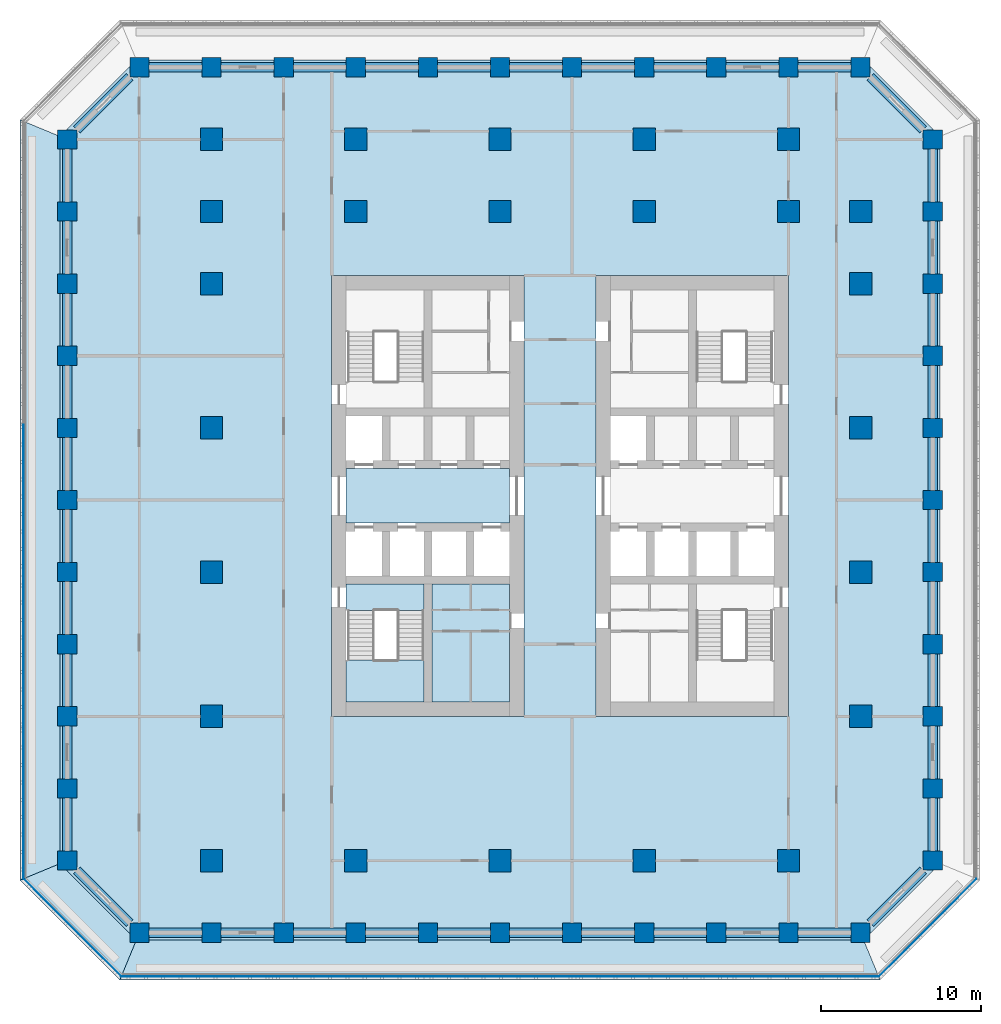
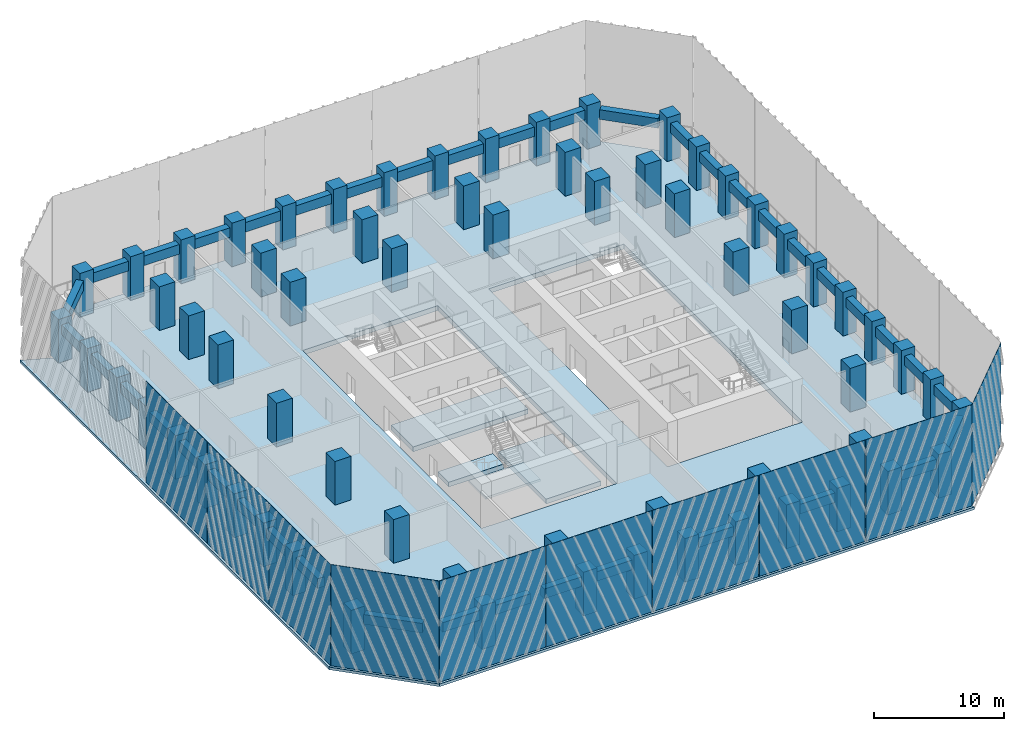
# One storey, part 1 of 17: 68 columns, 44 beams, 10 plates, 8 slabs, 1 element without a shape of its own.
"""IFC4 building model written with IfcOpenShell, lengths in metres."""

from ifc_helpers import new_model, si_unit, direction, frame, origin, origin_2d, place, context, subcontext, project, spatial, polyline, rectangle, outline, extrude, material, layer, layer_set, material_profile, profile_set, type_object, element, aggregate, save


model = new_model("IFC4")

# Units and contexts
model_context = context("Model", 3, precision=1e-05, world=origin(), true_north=direction((0.0, 1.0)))
body_context = subcontext(model_context, "Body", "Model", "MODEL_VIEW")
ifc_project = project(units=[si_unit("LENGTHUNIT", "METRE"), si_unit("AREAUNIT", "SQUARE_METRE"), si_unit("VOLUMEUNIT", "CUBIC_METRE"), si_unit("PLANEANGLEUNIT", "RADIAN"), si_unit("MASSUNIT", "GRAM", prefix="KILO")], contexts=[model_context])

# Site, building, storey
site_placement = place(None, origin())
site = spatial("IfcSite", under=ifc_project, at=site_placement, CompositionType="ELEMENT")
building_placement = place(site_placement, origin())
building = spatial("IfcBuilding", under=site, at=building_placement, Name="Corbel Stack Research Tower", CompositionType="ELEMENT")
storey_placement = place(building_placement, frame((0.0, 0.0, 141.300048828125)))
storey = spatial("IfcBuildingStorey", under=building, at=storey_placement, Name="L32", CompositionType="ELEMENT", Elevation=141.300048828125)

# Columns
ifc_material_1 = material(Name="Concrete C70/85", Category="concrete")
ifc_material_profile_1 = material_profile(ifc_material_1, rectangle(XDim=1.199951171875, YDim=1.199951171875, at=origin_2d()), Name="RC 1200 x 1200")
ifc_profile_set_1 = profile_set([ifc_material_profile_1], Name="Concrete C70/85")
column_type_1 = type_object("IfcColumnType", Name="C-1200-70", PredefinedType="COLUMN", material=ifc_profile_set_1)
for number, where, z_axis, x_axis, name in (
    (1, (-27.0, -18.0, 0.0), (0.0, 0.0, 1.0), (1.0, 0.0, 0.0), "Column 2/D L32"),
    (2, (-27.0, -13.5, 0.0), (0.0, 0.0, 1.0), (1.0, 0.0, 0.0), "Column 2/E L32"),
    (3, (-27.0, -9.0, 0.0), (0.0, 0.0, 1.0), (1.0, 0.0, 0.0), "Column 2/F L32"),
    (4, (-27.0, -4.5, 0.0), (0.0, 0.0, 1.0), (1.0, 0.0, 0.0), "Column 2/G L32"),
    (5, (-27.0, 0.0, 0.0), (0.0, 0.0, 1.0), (1.0, 0.0, 0.0), "Column 2/H L32"),
    (6, (-27.0, 4.5, 0.0), (0.0, 0.0, 1.0), (1.0, 0.0, 0.0), "Column 2/J L32"),
    (7, (-27.0, 9.0, 0.0), (0.0, 0.0, 1.0), (1.0, 0.0, 0.0), "Column 2/K L32"),
    (8, (-27.0, 13.5, 0.0), (0.0, 0.0, 1.0), (1.0, 0.0, 0.0), "Column 2/L L32"),
    (9, (-27.0, 18.0, 0.0), (0.0, 0.0, 1.0), (1.0, 0.0, 0.0), "Column 2/M L32"),
    (10, (-27.0, 22.5, 0.0), (0.0, 0.0, 1.0), (1.0, 0.0, 0.0), "Column 2/N L32"),
    (11, (-27.0, 27.0, 0.0), (0.0, 0.0, 1.0), (1.0, 0.0, 0.0), "Column 2/P L32"),
    (12, (-22.5, -22.5, 0.0), (0.0, 0.0, 1.0), (1.0, 0.0, 0.0), "Column 3/C L32"),
    (13, (-22.5, 31.5, 0.0), (0.0, 0.0, 1.0), (1.0, 0.0, 0.0), "Column 3/Q L32"),
    (14, (-18.0, -22.5, 0.0), (0.0, 0.0, 1.0), (1.0, 0.0, 0.0), "Column 4/C L32"),
    (15, (-18.0, 31.5, 0.0), (0.0, 0.0, 1.0), (1.0, 0.0, 0.0), "Column 4/Q L32"),
    (16, (-13.5, -22.5, 0.0), (0.0, 0.0, 1.0), (1.0, 0.0, 0.0), "Column 5/C L32"),
    (17, (-13.5, 31.5, 0.0), (0.0, 0.0, 1.0), (1.0, 0.0, 0.0), "Column 5/Q L32"),
    (18, (-9.0, -22.5, 0.0), (0.0, 0.0, 1.0), (1.0, 0.0, 0.0), "Column 6/C L32"),
    (19, (-9.0, 31.5, 0.0), (0.0, 0.0, 1.0), (1.0, 0.0, 0.0), "Column 6/Q L32"),
    (20, (-4.5, -22.5, 0.0), (0.0, 0.0, 1.0), (1.0, 0.0, 0.0), "Column 7/C L32"),
    (21, (-4.5, 31.5, 0.0), (0.0, 0.0, 1.0), (1.0, 0.0, 0.0), "Column 7/Q L32"),
    (22, (0.0, -22.5, 0.0), (0.0, 0.0, 1.0), (1.0, 0.0, 0.0), "Column 8/C L32"),
    (23, (0.0, 31.5, 0.0), (0.0, 0.0, 1.0), (1.0, 0.0, 0.0), "Column 8/Q L32"),
    (24, (4.5, -22.5, 0.0), (0.0, 0.0, 1.0), (1.0, 0.0, 0.0), "Column 9/C L32"),
    (25, (4.5, 31.5, 0.0), (0.0, 0.0, 1.0), (1.0, 0.0, 0.0), "Column 9/Q L32"),
    (26, (9.0, -22.5, 0.0), (0.0, 0.0, 1.0), (1.0, 0.0, 0.0), "Column 10/C L32"),
    (27, (9.0, 31.5, 0.0), (0.0, 0.0, 1.0), (1.0, 0.0, 0.0), "Column 10/Q L32"),
    (28, (13.5, -22.5, 0.0), (0.0, 0.0, 1.0), (1.0, 0.0, 0.0), "Column 11/C L32"),
    (29, (13.5, 31.5, 0.0), (0.0, 0.0, 1.0), (1.0, 0.0, 0.0), "Column 11/Q L32"),
    (30, (18.0, -22.5, 0.0), (0.0, 0.0, 1.0), (1.0, 0.0, 0.0), "Column 12/C L32"),
    (31, (18.0, 31.5, 0.0), (0.0, 0.0, 1.0), (1.0, 0.0, 0.0), "Column 12/Q L32"),
    (32, (22.5, -22.5, 0.0), (0.0, 0.0, 1.0), (1.0, 0.0, 0.0), "Column 13/C L32"),
    (33, (22.5, 31.5, 0.0), (0.0, 0.0, 1.0), (1.0, 0.0, 0.0), "Column 13/Q L32"),
    (34, (27.0, -18.0, 0.0), (0.0, 0.0, 1.0), (1.0, 0.0, 0.0), "Column 14/D L32"),
    (35, (27.0, -13.5, 0.0), (0.0, 0.0, 1.0), (1.0, 0.0, 0.0), "Column 14/E L32"),
    (36, (27.0, -9.0, 0.0), (0.0, 0.0, 1.0), (1.0, 0.0, 0.0), "Column 14/F L32"),
    (37, (27.0, -4.5, 0.0), (0.0, 0.0, 1.0), (1.0, 0.0, 0.0), "Column 14/G L32"),
    (38, (27.0, 0.0, 0.0), (0.0, 0.0, 1.0), (1.0, 0.0, 0.0), "Column 14/H L32"),
    (39, (27.0, 4.5, 0.0), (0.0, 0.0, 1.0), (1.0, 0.0, 0.0), "Column 14/J L32"),
    (40, (27.0, 9.0, 0.0), (0.0, 0.0, 1.0), (1.0, 0.0, 0.0), "Column 14/K L32"),
    (41, (27.0, 13.5, 0.0), (0.0, 0.0, 1.0), (1.0, 0.0, 0.0), "Column 14/L L32"),
    (42, (27.0, 18.0, 0.0), (0.0, 0.0, 1.0), (1.0, 0.0, 0.0), "Column 14/M L32"),
    (43, (27.0, 22.5, 0.0), (0.0, 0.0, 1.0), (1.0, 0.0, 0.0), "Column 14/N L32"),
    (44, (27.0, 27.0, 0.0), (0.0, 0.0, 1.0), (1.0, 0.0, 0.0), "Column 14/P L32"),
):
    element("IfcColumn", number, at=place(storey_placement, frame(where, z_axis=z_axis, x_axis=x_axis)), inside=storey, type_object=column_type_1, Name=name, PredefinedType="COLUMN", context=body_context, shape_type="SweptSolid", body=[
        extrude(rectangle(XDim=1.199951171875, YDim=1.199951171875, at=origin_2d()), origin(), (0.0, 0.0, 1.0), 4.099853515625),
    ])
ifc_material_2 = material(Name="Concrete C70/85", Category="concrete")
ifc_material_profile_2 = material_profile(ifc_material_2, rectangle(XDim=1.39990234375, YDim=1.39990234375, at=origin_2d()), Name="RC 1400 x 1400")
ifc_profile_set_2 = profile_set([ifc_material_profile_2], Name="Concrete C70/85")
column_type_2 = type_object("IfcColumnType", Name="C-1400-70", PredefinedType="COLUMN", material=ifc_profile_set_2)
for number, where, z_axis, x_axis, name in (
    (45, (-18.0, -18.0, 0.0), (0.0, 0.0, 1.0), (1.0, 0.0, 0.0), "Column 4/D L32"),
    (46, (-18.0, -9.0, 0.0), (0.0, 0.0, 1.0), (1.0, 0.0, 0.0), "Column 4/F L32"),
    (47, (-18.0, 0.0, 0.0), (0.0, 0.0, 1.0), (1.0, 0.0, 0.0), "Column 4/H L32"),
    (48, (-18.0, 9.0, 0.0), (0.0, 0.0, 1.0), (1.0, 0.0, 0.0), "Column 4/K L32"),
    (49, (-18.0, 18.0, 0.0), (0.0, 0.0, 1.0), (1.0, 0.0, 0.0), "Column 4/M L32"),
    (50, (-18.0, 22.5, 0.0), (0.0, 0.0, 1.0), (1.0, 0.0, 0.0), "Column 4/N L32"),
    (51, (-18.0, 27.0, 0.0), (0.0, 0.0, 1.0), (1.0, 0.0, 0.0), "Column 4/P L32"),
    (52, (-9.0, -18.0, 0.0), (0.0, 0.0, 1.0), (1.0, 0.0, 0.0), "Column 6/D L32"),
    (53, (-9.0, 22.5, 0.0), (0.0, 0.0, 1.0), (1.0, 0.0, 0.0), "Column 6/N L32"),
    (54, (-9.0, 27.0, 0.0), (0.0, 0.0, 1.0), (1.0, 0.0, 0.0), "Column 6/P L32"),
    (55, (0.0, -18.0, 0.0), (0.0, 0.0, 1.0), (1.0, 0.0, 0.0), "Column 8/D L32"),
    (56, (0.0, 22.5, 0.0), (0.0, 0.0, 1.0), (1.0, 0.0, 0.0), "Column 8/N L32"),
    (57, (0.0, 27.0, 0.0), (0.0, 0.0, 1.0), (1.0, 0.0, 0.0), "Column 8/P L32"),
    (58, (9.0, -18.0, 0.0), (0.0, 0.0, 1.0), (1.0, 0.0, 0.0), "Column 10/D L32"),
    (59, (9.0, 22.5, 0.0), (0.0, 0.0, 1.0), (1.0, 0.0, 0.0), "Column 10/N L32"),
    (60, (9.0, 27.0, 0.0), (0.0, 0.0, 1.0), (1.0, 0.0, 0.0), "Column 10/P L32"),
    (61, (18.0, -18.0, 0.0), (0.0, 0.0, 1.0), (1.0, 0.0, 0.0), "Column 12/D L32"),
    (62, (18.0, 22.5, 0.0), (0.0, 0.0, 1.0), (1.0, 0.0, 0.0), "Column 12/N L32"),
    (63, (18.0, 27.0, 0.0), (0.0, 0.0, 1.0), (1.0, 0.0, 0.0), "Column 12/P L32"),
    (64, (22.5, -9.0, 0.0), (0.0, 0.0, 1.0), (1.0, 0.0, 0.0), "Column 13/F L32"),
    (65, (22.5, 0.0, 0.0), (0.0, 0.0, 1.0), (1.0, 0.0, 0.0), "Column 13/H L32"),
    (66, (22.5, 9.0, 0.0), (0.0, 0.0, 1.0), (1.0, 0.0, 0.0), "Column 13/K L32"),
    (67, (22.5, 18.0, 0.0), (0.0, 0.0, 1.0), (1.0, 0.0, 0.0), "Column 13/M L32"),
    (68, (22.5, 22.5, 0.0), (0.0, 0.0, 1.0), (1.0, 0.0, 0.0), "Column 13/N L32"),
):
    element("IfcColumn", number, at=place(storey_placement, frame(where, z_axis=z_axis, x_axis=x_axis)), inside=storey, type_object=column_type_2, Name=name, PredefinedType="COLUMN", context=body_context, shape_type="SweptSolid", body=[
        extrude(rectangle(XDim=1.39990234375, YDim=1.39990234375, at=origin_2d()), origin(), (0.0, 0.0, 1.0), 4.099853515625),
    ])

# Beams
ifc_material_3 = material(Name="Concrete C60/75", Category="concrete")
ifc_material_profile_3 = material_profile(ifc_material_3, rectangle(XDim=0.60009765625, YDim=0.89990234375, at=origin_2d()), Name="RC 600 x 900")
ifc_profile_set_3 = profile_set([ifc_material_profile_3], Name="Concrete C60/75")
beam_type = type_object("IfcBeamType", Name="SB-600-900-600", PredefinedType="SPANDREL", material=ifc_profile_set_3)
for number, where, z_axis, x_axis, name in (
    (69, (-21.89990234375, -22.5, 3.050048828125), (1.0, 0.0, 0.0), (0.0, 1.0, 0.0), "Spandrel beam L32-01"),
    (70, (-17.39990234375, -22.5, 3.050048828125), (1.0, 0.0, 0.0), (0.0, 1.0, 0.0), "Spandrel beam L32-02"),
    (71, (-12.89990234375, -22.5, 3.050048828125), (1.0, 0.0, 0.0), (0.0, 1.0, 0.0), "Spandrel beam L32-03"),
    (72, (-8.39990234375, -22.5, 3.050048828125), (1.0, 0.0, 0.0), (0.0, 1.0, 0.0), "Spandrel beam L32-04"),
    (73, (-3.89990234375, -22.5, 3.050048828125), (1.0, 0.0, 0.0), (0.0, 1.0, 0.0), "Spandrel beam L32-05"),
    (74, (0.60009765625, -22.5, 3.050048828125), (1.0, 0.0, 0.0), (0.0, 1.0, 0.0), "Spandrel beam L32-06"),
    (75, (5.10009765625, -22.5, 3.050048828125), (1.0, 0.0, 0.0), (0.0, 1.0, 0.0), "Spandrel beam L32-07"),
    (76, (9.60009765625, -22.5, 3.050048828125), (1.0, 0.0, 0.0), (0.0, 1.0, 0.0), "Spandrel beam L32-08"),
    (77, (14.10009765625, -22.5, 3.050048828125), (1.0, 0.0, 0.0), (0.0, 1.0, 0.0), "Spandrel beam L32-09"),
    (78, (18.60009765625, -22.5, 3.050048828125), (1.0, 0.0, 0.0), (0.0, 1.0, 0.0), "Spandrel beam L32-10"),
):
    element("IfcBeam", number, at=place(storey_placement, frame(where, z_axis=z_axis, x_axis=x_axis)), inside=storey, type_object=beam_type, Name=name, PredefinedType="SPANDREL", context=body_context, shape_type="SweptSolid", body=[
        extrude(rectangle(XDim=0.60009765625, YDim=0.89990234375, at=origin_2d()), origin(), (0.0, 0.0, 1.0), 3.2998046875),
    ])
beam_1_placement = place(storey_placement, frame((23.10009765625, -21.89990234375, 3.050048828125), z_axis=(0.707106781187, 0.707106781187, 0.0), x_axis=(-0.707106781187, 0.707106781187, 0.0)))
element("IfcBeam", 79, at=beam_1_placement, inside=storey, type_object=beam_type, Name="Spandrel beam L32-11", PredefinedType="SPANDREL", context=body_context, shape_type="SweptSolid", body=[
    extrude(rectangle(XDim=0.60009765625, YDim=0.89990234375, at=origin_2d()), origin(), (0.0, 0.0, 1.0), 4.666748046875),
])
for number, where, z_axis, x_axis, name in (
    (80, (27.0, -17.39990234375, 3.050048828125), (0.0, 1.0, 0.0), (-1.0, 0.0, 0.0), "Spandrel beam L32-12"),
    (81, (27.0, -12.89990234375, 3.050048828125), (0.0, 1.0, 0.0), (-1.0, 0.0, 0.0), "Spandrel beam L32-13"),
    (82, (27.0, -8.39990234375, 3.050048828125), (0.0, 1.0, 0.0), (-1.0, 0.0, 0.0), "Spandrel beam L32-14"),
    (83, (27.0, -3.89990234375, 3.050048828125), (0.0, 1.0, 0.0), (-1.0, 0.0, 0.0), "Spandrel beam L32-15"),
    (84, (27.0, 0.60009765625, 3.050048828125), (0.0, 1.0, 0.0), (-1.0, 0.0, 0.0), "Spandrel beam L32-16"),
    (85, (27.0, 5.10009765625, 3.050048828125), (0.0, 1.0, 0.0), (-1.0, 0.0, 0.0), "Spandrel beam L32-17"),
    (86, (27.0, 9.60009765625, 3.050048828125), (0.0, 1.0, 0.0), (-1.0, 0.0, 0.0), "Spandrel beam L32-18"),
    (87, (27.0, 14.10009765625, 3.050048828125), (0.0, 1.0, 0.0), (-1.0, 0.0, 0.0), "Spandrel beam L32-19"),
    (88, (27.0, 18.60009765625, 3.050048828125), (0.0, 1.0, 0.0), (-1.0, 0.0, 0.0), "Spandrel beam L32-20"),
    (89, (27.0, 23.10009765625, 3.050048828125), (0.0, 1.0, 0.0), (-1.0, 0.0, 0.0), "Spandrel beam L32-21"),
):
    element("IfcBeam", number, at=place(storey_placement, frame(where, z_axis=z_axis, x_axis=x_axis)), inside=storey, type_object=beam_type, Name=name, PredefinedType="SPANDREL", context=body_context, shape_type="SweptSolid", body=[
        extrude(rectangle(XDim=0.60009765625, YDim=0.89990234375, at=origin_2d()), origin(), (0.0, 0.0, 1.0), 3.2998046875),
    ])
beam_2_placement = place(storey_placement, frame((26.39990234375, 27.60009765625, 3.050048828125), z_axis=(-0.707106781187, 0.707106781187, 0.0), x_axis=(-0.707106781187, -0.707106781187, 0.0)))
element("IfcBeam", 90, at=beam_2_placement, inside=storey, type_object=beam_type, Name="Spandrel beam L32-22", PredefinedType="SPANDREL", context=body_context, shape_type="SweptSolid", body=[
    extrude(rectangle(XDim=0.60009765625, YDim=0.89990234375, at=origin_2d()), origin(), (0.0, 0.0, 1.0), 4.666748046875),
])
for number, where, z_axis, x_axis, name in (
    (91, (21.89990234375, 31.5, 3.050048828125), (-1.0, 0.0, 0.0), (0.0, -1.0, 0.0), "Spandrel beam L32-23"),
    (92, (17.39990234375, 31.5, 3.050048828125), (-1.0, 0.0, 0.0), (0.0, -1.0, 0.0), "Spandrel beam L32-24"),
    (93, (12.89990234375, 31.5, 3.050048828125), (-1.0, 0.0, 0.0), (0.0, -1.0, 0.0), "Spandrel beam L32-25"),
    (94, (8.39990234375, 31.5, 3.050048828125), (-1.0, 0.0, 0.0), (0.0, -1.0, 0.0), "Spandrel beam L32-26"),
    (95, (3.89990234375, 31.5, 3.050048828125), (-1.0, 0.0, 0.0), (0.0, -1.0, 0.0), "Spandrel beam L32-27"),
    (96, (-0.60009765625, 31.5, 3.050048828125), (-1.0, 0.0, 0.0), (0.0, -1.0, 0.0), "Spandrel beam L32-28"),
    (97, (-5.10009765625, 31.5, 3.050048828125), (-1.0, 0.0, 0.0), (0.0, -1.0, 0.0), "Spandrel beam L32-29"),
    (98, (-9.60009765625, 31.5, 3.050048828125), (-1.0, 0.0, 0.0), (0.0, -1.0, 0.0), "Spandrel beam L32-30"),
    (99, (-14.10009765625, 31.5, 3.050048828125), (-1.0, 0.0, 0.0), (0.0, -1.0, 0.0), "Spandrel beam L32-31"),
    (100, (-18.60009765625, 31.5, 3.050048828125), (-1.0, 0.0, 0.0), (0.0, -1.0, 0.0), "Spandrel beam L32-32"),
):
    element("IfcBeam", number, at=place(storey_placement, frame(where, z_axis=z_axis, x_axis=x_axis)), inside=storey, type_object=beam_type, Name=name, PredefinedType="SPANDREL", context=body_context, shape_type="SweptSolid", body=[
        extrude(rectangle(XDim=0.60009765625, YDim=0.89990234375, at=origin_2d()), origin(), (0.0, 0.0, 1.0), 3.2998046875),
    ])
beam_3_placement = place(storey_placement, frame((-23.10009765625, 30.89990234375, 3.050048828125), z_axis=(-0.707106781187, -0.707106781187, 0.0), x_axis=(0.707106781187, -0.707106781187, 0.0)))
element("IfcBeam", 101, at=beam_3_placement, inside=storey, type_object=beam_type, Name="Spandrel beam L32-33", PredefinedType="SPANDREL", context=body_context, shape_type="SweptSolid", body=[
    extrude(rectangle(XDim=0.60009765625, YDim=0.89990234375, at=origin_2d()), origin(), (0.0, 0.0, 1.0), 4.666748046875),
])
for number, where, z_axis, x_axis, name in (
    (102, (-27.0, 26.39990234375, 3.050048828125), (0.0, -1.0, 0.0), (1.0, 0.0, 0.0), "Spandrel beam L32-34"),
    (103, (-27.0, 21.89990234375, 3.050048828125), (0.0, -1.0, 0.0), (1.0, 0.0, 0.0), "Spandrel beam L32-35"),
    (104, (-27.0, 17.39990234375, 3.050048828125), (0.0, -1.0, 0.0), (1.0, 0.0, 0.0), "Spandrel beam L32-36"),
    (105, (-27.0, 12.89990234375, 3.050048828125), (0.0, -1.0, 0.0), (1.0, 0.0, 0.0), "Spandrel beam L32-37"),
    (106, (-27.0, 8.39990234375, 3.050048828125), (0.0, -1.0, 0.0), (1.0, 0.0, 0.0), "Spandrel beam L32-38"),
    (107, (-27.0, 3.89990234375, 3.050048828125), (0.0, -1.0, 0.0), (1.0, 0.0, 0.0), "Spandrel beam L32-39"),
    (108, (-27.0, -0.60009765625, 3.050048828125), (0.0, -1.0, 0.0), (1.0, 0.0, 0.0), "Spandrel beam L32-40"),
    (109, (-27.0, -5.10009765625, 3.050048828125), (0.0, -1.0, 0.0), (1.0, 0.0, 0.0), "Spandrel beam L32-41"),
    (110, (-27.0, -9.60009765625, 3.050048828125), (0.0, -1.0, 0.0), (1.0, 0.0, 0.0), "Spandrel beam L32-42"),
    (111, (-27.0, -14.10009765625, 3.050048828125), (0.0, -1.0, 0.0), (1.0, 0.0, 0.0), "Spandrel beam L32-43"),
):
    element("IfcBeam", number, at=place(storey_placement, frame(where, z_axis=z_axis, x_axis=x_axis)), inside=storey, type_object=beam_type, Name=name, PredefinedType="SPANDREL", context=body_context, shape_type="SweptSolid", body=[
        extrude(rectangle(XDim=0.60009765625, YDim=0.89990234375, at=origin_2d()), origin(), (0.0, 0.0, 1.0), 3.2998046875),
    ])
beam_4_placement = place(storey_placement, frame((-26.39990234375, -18.60009765625, 3.050048828125), z_axis=(0.707106781187, -0.707106781187, 0.0), x_axis=(0.707106781187, 0.707106781187, 0.0)))
element("IfcBeam", 112, at=beam_4_placement, inside=storey, type_object=beam_type, Name="Spandrel beam L32-44", PredefinedType="SPANDREL", context=body_context, shape_type="SweptSolid", body=[
    extrude(rectangle(XDim=0.60009765625, YDim=0.89990234375, at=origin_2d()), origin(), (0.0, 0.0, 1.0), 4.666748046875),
])

# Plates
ifc_material_4 = material(Name="Fritted glass", Category="glass")
ifc_layer_1 = layer(ifc_material_4, 0.02490234375)
ifc_layer_set_1 = layer_set([ifc_layer_1], Name="Fritted glass")
plate_type = type_object("IfcPlateType", Name="Fritted glass panel 25", PredefinedType="SHEET", material=ifc_layer_set_1)
for number, where, z_axis, x_axis, name in (
    (113, (-18.911376953125, -25.237548828125, 0.0), (0.0, 0.0, 1.0), (1.0, 0.0, 0.0), "Fritted glass L32 S1"),
    (114, (-9.45556640625, -25.237548828125, 0.0), (0.0, 0.0, 1.0), (1.0, 0.0, 0.0), "Fritted glass L32 S2"),
    (115, (0.0, -25.237548828125, 0.0), (0.0, 0.0, 1.0), (1.0, 0.0, 0.0), "Fritted glass L32 S3"),
    (116, (9.45556640625, -25.237548828125, 0.0), (0.0, 0.0, 1.0), (1.0, 0.0, 0.0), "Fritted glass L32 S4"),
    (117, (18.911376953125, -25.237548828125, 0.0), (0.0, 0.0, 1.0), (1.0, 0.0, 0.0), "Fritted glass L32 S5"),
):
    element("IfcPlate", number, at=place(storey_placement, frame(where, z_axis=z_axis, x_axis=x_axis)), inside=storey, type_object=plate_type, Name=name, PredefinedType="SHEET", context=body_context, shape_type="SweptSolid", body=[
        extrude(rectangle(XDim=9.3955078125, YDim=0.02490234375, at=origin_2d()), origin(), (0.0, 0.0, 1.0), 9.5),
    ])
plate_1_placement = place(storey_placement, frame((26.685791015625, -22.185791015625, 0.0), z_axis=(0.0, 0.0, 1.0), x_axis=(0.707106781187, 0.707106781187, 0.0)))
element("IfcPlate", 118, at=plate_1_placement, inside=storey, type_object=plate_type, Name="Fritted glass L32 SE1", PredefinedType="SHEET", context=body_context, shape_type="SweptSolid", body=[
    extrude(rectangle(XDim=8.58203125, YDim=0.02490234375, at=origin_2d()), origin(), (0.0, 0.0, 1.0), 9.5),
])
for number, where, z_axis, x_axis, name in (
    (119, (-29.737548828125, 4.5, 0.0), (0.0, 0.0, 1.0), (0.0, -1.0, 0.0), "Fritted glass L32 W3"),
    (120, (-29.737548828125, -4.95556640625, 0.0), (0.0, 0.0, 1.0), (0.0, -1.0, 0.0), "Fritted glass L32 W4"),
    (121, (-29.737548828125, -14.411376953125, 0.0), (0.0, 0.0, 1.0), (0.0, -1.0, 0.0), "Fritted glass L32 W5"),
):
    element("IfcPlate", number, at=place(storey_placement, frame(where, z_axis=z_axis, x_axis=x_axis)), inside=storey, type_object=plate_type, Name=name, PredefinedType="SHEET", context=body_context, shape_type="SweptSolid", body=[
        extrude(rectangle(XDim=9.3955078125, YDim=0.02490234375, at=origin_2d()), origin(), (0.0, 0.0, 1.0), 9.5),
    ])
plate_2_placement = place(storey_placement, frame((-26.685791015625, -22.185791015625, 0.0), z_axis=(0.0, 0.0, 1.0), x_axis=(0.707106781187, -0.707106781187, 0.0)))
element("IfcPlate", 122, at=plate_2_placement, inside=storey, type_object=plate_type, Name="Fritted glass L32 SW1", PredefinedType="SHEET", context=body_context, shape_type="SweptSolid", body=[
    extrude(rectangle(XDim=8.58203125, YDim=0.02490234375, at=origin_2d()), origin(), (0.0, 0.0, 1.0), 9.5),
])

# Slabs
ifc_material_5 = material(Name="Concrete C45/55", Category="concrete")
ifc_layer_2 = layer(ifc_material_5, 0.25)
ifc_layer_set_2 = layer_set([ifc_layer_2], Name="Concrete C45/55")
slab_type_1 = type_object("IfcSlabType", Name="PT balcony slab 250 C45/55", PredefinedType="FLOOR", material=ifc_layer_set_2)
slab_1_placement = place(storey_placement, frame((0.0, 0.0, -0.25)))
element("IfcSlab", 123, at=slab_1_placement, inside=storey, type_object=slab_type_1, Name="Loggia slab L32 S", PredefinedType="FLOOR", context=body_context, shape_type="SweptSolid", body=[
    extrude(outline(polyline([(22.74853515625, -23.10009765625), (21.89990234375, -23.10009765625), (21.89990234375, -22.949951171875), (18.60009765625, -22.949951171875), (18.60009765625, -23.10009765625), (17.39990234375, -23.10009765625), (17.39990234375, -22.949951171875), (14.10009765625, -22.949951171875), (14.10009765625, -23.10009765625), (12.89990234375, -23.10009765625), (12.89990234375, -22.949951171875), (9.60009765625, -22.949951171875), (9.60009765625, -23.10009765625), (8.39990234375, -23.10009765625), (8.39990234375, -22.949951171875), (5.10009765625, -22.949951171875), (5.10009765625, -23.10009765625), (3.89990234375, -23.10009765625), (3.89990234375, -22.949951171875), (0.60009765625, -22.949951171875), (0.60009765625, -23.10009765625), (-0.60009765625, -23.10009765625), (-0.60009765625, -22.949951171875), (-3.89990234375, -22.949951171875), (-3.89990234375, -23.10009765625), (-5.10009765625, -23.10009765625), (-5.10009765625, -22.949951171875), (-8.39990234375, -22.949951171875), (-8.39990234375, -23.10009765625), (-9.60009765625, -23.10009765625), (-9.60009765625, -22.949951171875), (-12.89990234375, -22.949951171875), (-12.89990234375, -23.10009765625), (-14.10009765625, -23.10009765625), (-14.10009765625, -22.949951171875), (-17.39990234375, -22.949951171875), (-17.39990234375, -23.10009765625), (-18.60009765625, -23.10009765625), (-18.60009765625, -22.949951171875), (-21.89990234375, -22.949951171875), (-21.89990234375, -23.10009765625), (-22.74853515625, -23.10009765625), (-23.721923828125, -25.449951171875), (23.721923828125, -25.449951171875), (22.74853515625, -23.10009765625)])), origin(), (0.0, 0.0, 1.0), 0.25),
])
slab_2_placement = place(storey_placement, frame((0.0, 0.0, -0.25)))
element("IfcSlab", 124, at=slab_2_placement, inside=storey, type_object=slab_type_1, Name="Loggia slab L32 W", PredefinedType="FLOOR", context=body_context, shape_type="SweptSolid", body=[
    extrude(outline(polyline([(-27.60009765625, -18.24853515625), (-27.60009765625, -17.39990234375), (-27.449951171875, -17.39990234375), (-27.449951171875, -14.10009765625), (-27.60009765625, -14.10009765625), (-27.60009765625, -12.89990234375), (-27.449951171875, -12.89990234375), (-27.449951171875, -9.60009765625), (-27.60009765625, -9.60009765625), (-27.60009765625, -8.39990234375), (-27.449951171875, -8.39990234375), (-27.449951171875, -5.10009765625), (-27.60009765625, -5.10009765625), (-27.60009765625, -3.89990234375), (-27.449951171875, -3.89990234375), (-27.449951171875, -0.60009765625), (-27.60009765625, -0.60009765625), (-27.60009765625, 0.60009765625), (-27.449951171875, 0.60009765625), (-27.449951171875, 3.89990234375), (-27.60009765625, 3.89990234375), (-27.60009765625, 5.10009765625), (-27.449951171875, 5.10009765625), (-27.449951171875, 8.39990234375), (-27.60009765625, 8.39990234375), (-27.60009765625, 9.60009765625), (-27.449951171875, 9.60009765625), (-27.449951171875, 12.89990234375), (-27.60009765625, 12.89990234375), (-27.60009765625, 14.10009765625), (-27.449951171875, 14.10009765625), (-27.449951171875, 17.39990234375), (-27.60009765625, 17.39990234375), (-27.60009765625, 18.60009765625), (-27.449951171875, 18.60009765625), (-27.449951171875, 21.89990234375), (-27.60009765625, 21.89990234375), (-27.60009765625, 23.10009765625), (-27.449951171875, 23.10009765625), (-27.449951171875, 26.39990234375), (-27.60009765625, 26.39990234375), (-27.60009765625, 27.24853515625), (-29.949951171875, 28.221923828125), (-29.949951171875, -19.221923828125), (-27.60009765625, -18.24853515625)])), origin(), (0.0, 0.0, 1.0), 0.25),
])
slab_3_placement = place(storey_placement, frame((0.0, 0.0, -0.25)))
element("IfcSlab", 125, at=slab_3_placement, inside=storey, type_object=slab_type_1, Name="Loggia slab L32 SW", PredefinedType="FLOOR", context=body_context, shape_type="SweptSolid", body=[
    extrude(outline(polyline([(-22.74853515625, -23.10009765625), (-23.10009765625, -23.10009765625), (-23.10009765625, -22.536376953125), (-27.036376953125, -18.60009765625), (-27.60009765625, -18.60009765625), (-27.60009765625, -18.24853515625), (-29.949951171875, -19.221923828125), (-23.721923828125, -25.449951171875), (-22.74853515625, -23.10009765625)])), origin(), (0.0, 0.0, 1.0), 0.25),
])
ifc_material_6 = material(Name="Concrete C45/55", Category="concrete")
ifc_layer_3 = layer(ifc_material_6, 0.449951171875)
ifc_layer_set_3 = layer_set([ifc_layer_3], Name="Concrete C45/55")
slab_type_2 = type_object("IfcSlabType", Name="PT-450", PredefinedType="FLOOR", material=ifc_layer_set_3)
slab_4_placement = place(storey_placement, frame((0.0, 0.0, -0.449951171875)))
element("IfcSlab", 126, at=slab_4_placement, inside=storey, type_object=slab_type_2, Name="Floor slab L32", PredefinedType="FLOOR", context=body_context, shape_type="SweptSolid", body=[
    extrude(outline(polyline([(-22.686279296875, -22.949951171875), (22.686279296875, -22.949951171875), (27.449951171875, -18.186279296875), (27.449951171875, 27.186279296875), (22.686279296875, 31.949951171875), (-22.686279296875, 31.949951171875), (-27.449951171875, 27.186279296875), (-27.449951171875, -18.186279296875), (-22.686279296875, -22.949951171875)]), holes=[polyline([(21.800048828125, 21.800048828125), (21.800048828125, 23.199951171875), (23.199951171875, 23.199951171875), (23.199951171875, 21.800048828125), (21.800048828125, 21.800048828125)]), polyline([(23.199951171875, 17.300048828125), (21.800048828125, 17.300048828125), (21.800048828125, 18.699951171875), (23.199951171875, 18.699951171875), (23.199951171875, 17.300048828125)]), polyline([(21.800048828125, 8.300048828125), (21.800048828125, 9.699951171875), (23.199951171875, 9.699951171875), (23.199951171875, 8.300048828125), (21.800048828125, 8.300048828125)]), polyline([(23.199951171875, -0.699951171875), (21.800048828125, -0.699951171875), (21.800048828125, 0.699951171875), (23.199951171875, 0.699951171875), (23.199951171875, -0.699951171875)]), polyline([(21.800048828125, -9.699951171875), (21.800048828125, -8.300048828125), (23.199951171875, -8.300048828125), (23.199951171875, -9.699951171875), (21.800048828125, -9.699951171875)]), polyline([(17.300048828125, 26.300048828125), (17.300048828125, 27.699951171875), (18.699951171875, 27.699951171875), (18.699951171875, 26.300048828125), (17.300048828125, 26.300048828125)]), polyline([(17.300048828125, 21.800048828125), (17.300048828125, 23.199951171875), (18.699951171875, 23.199951171875), (18.699951171875, 21.800048828125), (17.300048828125, 21.800048828125)]), polyline([(17.300048828125, -18.699951171875), (17.300048828125, -17.300048828125), (18.699951171875, -17.300048828125), (18.699951171875, -18.699951171875), (17.300048828125, -18.699951171875)]), polyline([(6.0, -9.0), (6.0, 18.5), (18.0, 18.5), (18.0, -9.0), (6.0, -9.0)]), polyline([(8.300048828125, 26.300048828125), (8.300048828125, 27.699951171875), (9.699951171875, 27.699951171875), (9.699951171875, 26.300048828125), (8.300048828125, 26.300048828125)]), polyline([(8.300048828125, 21.800048828125), (8.300048828125, 23.199951171875), (9.699951171875, 23.199951171875), (9.699951171875, 21.800048828125), (8.300048828125, 21.800048828125)]), polyline([(9.699951171875, -18.699951171875), (8.300048828125, -18.699951171875), (8.300048828125, -17.300048828125), (9.699951171875, -17.300048828125), (9.699951171875, -18.699951171875)]), polyline([(-10.5, -9.0), (-10.5, 18.5), (1.5, 18.5), (1.5, -9.0), (-10.5, -9.0)]), polyline([(-0.699951171875, 26.300048828125), (-0.699951171875, 27.699951171875), (0.699951171875, 27.699951171875), (0.699951171875, 26.300048828125), (-0.699951171875, 26.300048828125)]), polyline([(-0.699951171875, 21.800048828125), (-0.699951171875, 23.199951171875), (0.699951171875, 23.199951171875), (0.699951171875, 21.800048828125), (-0.699951171875, 21.800048828125)]), polyline([(-0.699951171875, -18.699951171875), (-0.699951171875, -17.300048828125), (0.699951171875, -17.300048828125), (0.699951171875, -18.699951171875), (-0.699951171875, -18.699951171875)]), polyline([(-9.699951171875, 26.300048828125), (-9.699951171875, 27.699951171875), (-8.300048828125, 27.699951171875), (-8.300048828125, 26.300048828125), (-9.699951171875, 26.300048828125)]), polyline([(-9.699951171875, 21.800048828125), (-9.699951171875, 23.199951171875), (-8.300048828125, 23.199951171875), (-8.300048828125, 21.800048828125), (-9.699951171875, 21.800048828125)]), polyline([(-9.699951171875, -18.699951171875), (-9.699951171875, -17.300048828125), (-8.300048828125, -17.300048828125), (-8.300048828125, -18.699951171875), (-9.699951171875, -18.699951171875)]), polyline([(-18.699951171875, 26.300048828125), (-18.699951171875, 27.699951171875), (-17.300048828125, 27.699951171875), (-17.300048828125, 26.300048828125), (-18.699951171875, 26.300048828125)]), polyline([(-18.699951171875, 21.800048828125), (-18.699951171875, 23.199951171875), (-17.300048828125, 23.199951171875), (-17.300048828125, 21.800048828125), (-18.699951171875, 21.800048828125)]), polyline([(-18.699951171875, 17.300048828125), (-18.699951171875, 18.699951171875), (-17.300048828125, 18.699951171875), (-17.300048828125, 17.300048828125), (-18.699951171875, 17.300048828125)]), polyline([(-17.300048828125, 8.300048828125), (-18.699951171875, 8.300048828125), (-18.699951171875, 9.699951171875), (-17.300048828125, 9.699951171875), (-17.300048828125, 8.300048828125)]), polyline([(-18.699951171875, -0.699951171875), (-18.699951171875, 0.699951171875), (-17.300048828125, 0.699951171875), (-17.300048828125, -0.699951171875), (-18.699951171875, -0.699951171875)]), polyline([(-17.300048828125, -9.699951171875), (-18.699951171875, -9.699951171875), (-18.699951171875, -8.300048828125), (-17.300048828125, -8.300048828125), (-17.300048828125, -9.699951171875)]), polyline([(-17.300048828125, -18.699951171875), (-18.699951171875, -18.699951171875), (-18.699951171875, -17.300048828125), (-17.300048828125, -17.300048828125), (-17.300048828125, -18.699951171875)])]), origin(), (0.0, 0.0, 1.0), 0.449951171875),
])
slab_5_placement = place(storey_placement, frame((0.0, 0.0, -0.449951171875)))
element("IfcSlab", 127, at=slab_5_placement, inside=storey, type_object=slab_type_2, Name="West core floor L32", PredefinedType="FLOOR", context=body_context, shape_type="SweptSolid", body=[
    extrude(outline(polyline([(0.60009765625, 6.449951171875), (-9.60009765625, 6.449951171875), (-9.60009765625, 3.050048828125), (0.60009765625, 3.050048828125), (0.60009765625, 6.449951171875)])), origin(), (0.0, 0.0, 1.0), 0.449951171875),
])
slab_6_placement = place(storey_placement, frame((0.0, 0.0, -0.449951171875)))
element("IfcSlab", 128, at=slab_6_placement, inside=storey, type_object=slab_type_2, Name="West core floor L32", PredefinedType="FLOOR", context=body_context, shape_type="SweptSolid", body=[
    extrude(outline(polyline([(0.60009765625, -8.10009765625), (0.60009765625, -0.75), (-4.25, -0.75), (-4.25, -8.10009765625), (0.60009765625, -8.10009765625)])), origin(), (0.0, 0.0, 1.0), 0.449951171875),
])
slab_7_placement = place(storey_placement, frame((0.0, 0.0, -0.449951171875)))
element("IfcSlab", 129, at=slab_7_placement, inside=storey, type_object=slab_type_2, Name="Stair floor landing ST-W1", PredefinedType="FLOOR", context=body_context, shape_type="SweptSolid", body=[
    extrude(outline(polyline([(-9.60009765625, -2.39990234375), (-4.75, -2.39990234375), (-4.75, -0.75), (-9.60009765625, -0.75), (-9.60009765625, -2.39990234375)])), origin(), (0.0, 0.0, 1.0), 0.449951171875),
])

# Stair, slab
ifc_material_7 = material(Name="Concrete C40/50", Category="concrete")
stair_type = type_object("IfcStairType", Name="Exit stair 24 risers", PredefinedType="HALF_TURN_STAIR", material=ifc_material_7)
stair_placement = place(storey_placement, origin())
stair = element("IfcStair", 130, at=stair_placement, inside=storey, type_object=stair_type, Name="L32 Exit stair ST-W1", PredefinedType="HALF_TURN_STAIR")
ifc_material_8 = material(Name="Concrete C40/50", Category="concrete")
ifc_layer_4 = layer(ifc_material_8, 0.199951171875)
ifc_layer_set_4 = layer_set([ifc_layer_4], Name="Concrete C40/50")
slab_type_3 = type_object("IfcSlabType", Name="Stair landing 200 C40/50", PredefinedType="LANDING", material=ifc_layer_set_4)
slab_8_placement = place(storey_placement, frame((0.0, 0.0, 1.849853515625)))
slab_8 = element("IfcSlab", 131, at=slab_8_placement, type_object=slab_type_3, Name="ST-W1 landing 1", PredefinedType="LANDING", context=body_context, shape_type="SweptSolid", body=[
    extrude(outline(polyline([(-9.60009765625, -8.10009765625), (-9.60009765625, -5.47998046875), (-4.75, -5.47998046875), (-4.75, -8.10009765625), (-9.60009765625, -8.10009765625)])), origin(), (0.0, 0.0, 1.0), 0.2001953125),
])
aggregate(stair, [slab_8])

save(model, "model.ifc")
